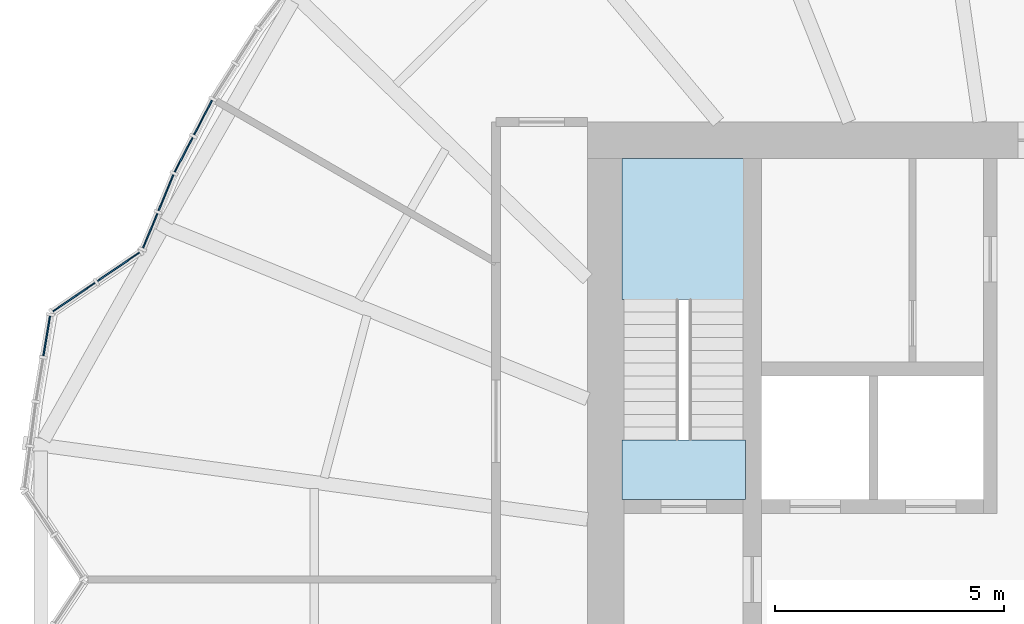
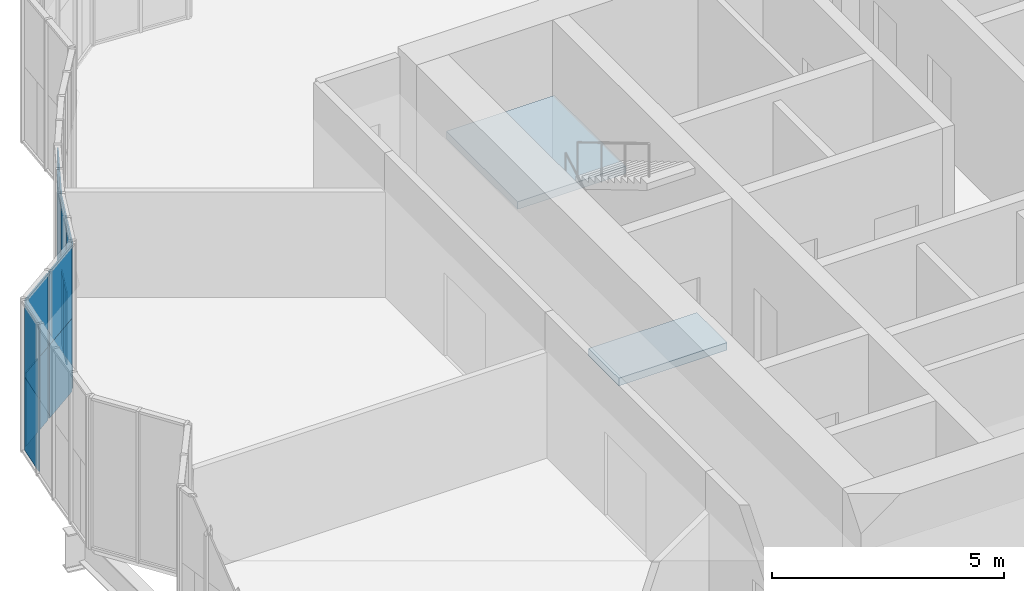
# One storey, part 14 of 22: 14 plates, 2 slabs, 5 elements without a shape of their own.
"""IFC4 building model written with IfcOpenShell, lengths in metres."""

from ifc_helpers import new_model, si_unit, direction, frame, origin, origin_2d, place, context, subcontext, project, spatial, polyline, rectangle, outline, extrude, material, layer, layer_set, type_object, element, aggregate, save


model = new_model("IFC4")

# Units and contexts
model_context = context("Model", 3, precision=1e-05, world=origin(), true_north=direction((0.0, 1.0)))
body_context = subcontext(model_context, "Body", "Model", "MODEL_VIEW")
ifc_project = project(units=[si_unit("LENGTHUNIT", "METRE"), si_unit("AREAUNIT", "SQUARE_METRE"), si_unit("VOLUMEUNIT", "CUBIC_METRE"), si_unit("PLANEANGLEUNIT", "RADIAN"), si_unit("MASSUNIT", "GRAM", prefix="KILO")], contexts=[model_context])

# Site, building, storey
site_placement = place(None, origin())
site = spatial("IfcSite", under=ifc_project, at=site_placement, CompositionType="ELEMENT")
building_placement = place(site_placement, origin())
building = spatial("IfcBuilding", under=site, at=building_placement, Name="Golbaran Civic Tower", CompositionType="ELEMENT")
storey_placement = place(building_placement, frame((0.0, 0.0, 29.0)))
storey = spatial("IfcBuildingStorey", under=building, at=storey_placement, Name="L06", CompositionType="ELEMENT", Elevation=29.0)

# Curtain wall, plates
ifc_material_1 = material(Name="Aluminium and glass", Category="aluminium")
curtain_wall_type = type_object("IfcCurtainWallType", Name="INNER SKIN CURTAIN WALL", PredefinedType="NOTDEFINED", material=ifc_material_1)
curtain_wall_1_placement = place(storey_placement, origin())
curtain_wall_1 = element("IfcCurtainWall", 1, at=curtain_wall_1_placement, inside=storey, type_object=curtain_wall_type, Name="Inner skin L06 facet 31 CW1", ObjectType="INNER SKIN", PredefinedType="USERDEFINED")
ifc_material_2 = material(Name="Clear insulating glass", Category="glass")
ifc_layer_1 = layer(ifc_material_2, 0.031982421875, Name="Clear insulating glass")
ifc_layer_set_1 = layer_set([ifc_layer_1], Name="Clear insulating glass")
plate_type_1 = type_object("IfcPlateType", Name="INNER SKIN CURTAIN WALL GLAZED PANEL", PredefinedType="CURTAIN_PANEL", material=ifc_layer_set_1)
plate_1_placement = place(storey_placement, frame((-18.40234375, 10.09619140625, 0.06494140625), z_axis=(0.0, 0.0, 1.0), x_axis=(-0.461748613607, -0.887010832985, 0.0)))
plate_1 = element("IfcPlate", 2, at=plate_1_placement, type_object=plate_type_1, Name="CW1 panel 1.1", PredefinedType="CURTAIN_PANEL", context=body_context, shape_type="SweptSolid", body=[
    extrude(rectangle(XDim=0.851318359375, YDim=0.031982421875, at=origin_2d()), origin(), (0.0, 0.0, 1.0), 3.8701171875),
])
plate_2_placement = place(storey_placement, frame((-18.825439453125, 9.283447265625, 0.06494140625), z_axis=(0.0, 0.0, 1.0), x_axis=(-0.461748613607, -0.887010832985, 0.0)))
plate_2 = element("IfcPlate", 3, at=plate_2_placement, type_object=plate_type_1, Name="CW1 panel 2.1", PredefinedType="CURTAIN_PANEL", context=body_context, shape_type="SweptSolid", body=[
    extrude(rectangle(XDim=0.851318359375, YDim=0.031982421875, at=origin_2d()), origin(), (0.0, 0.0, 1.0), 3.8701171875),
])
aggregate(curtain_wall_1, [plate_1, plate_2])

curtain_wall_2_placement = place(storey_placement, origin())
curtain_wall_2 = element("IfcCurtainWall", 4, at=curtain_wall_2_placement, inside=storey, type_object=curtain_wall_type, Name="Inner skin L06 facet 32 CW1", ObjectType="INNER SKIN", PredefinedType="USERDEFINED")
plate_3_placement = place(storey_placement, frame((-19.130126953125, 8.652099609375, 0.06494140625), z_axis=(0.0, 0.0, 1.0), x_axis=(-0.382683432462, -0.923879532471, 0.0)))
plate_3 = element("IfcPlate", 5, at=plate_3_placement, type_object=plate_type_1, Name="CW1 panel 1.1 part 1", PredefinedType="CURTAIN_PANEL", context=body_context, shape_type="SweptSolid", body=[
    extrude(rectangle(XDim=0.422119140625, YDim=0.031982421875, at=origin_2d()), origin(), (0.0, 0.0, 1.0), 1.93505859375),
])
plate_4_placement = place(storey_placement, frame((-19.21240234375, 8.453857421875, 2.0), z_axis=(0.0, 0.0, 1.0), x_axis=(-0.382683432462, -0.923879532471, 0.0)))
plate_4 = element("IfcPlate", 6, at=plate_4_placement, type_object=plate_type_1, Name="CW1 panel 1.1 part 3", PredefinedType="CURTAIN_PANEL", context=body_context, shape_type="SweptSolid", body=[
    extrude(rectangle(XDim=0.851318359375, YDim=0.031982421875, at=origin_2d()), origin(), (0.0, 0.0, 1.0), 1.93505859375),
])

# Curtain wall, plate
curtain_wall_3_placement = place(storey_placement, origin())
curtain_wall_3 = element("IfcCurtainWall", 7, at=curtain_wall_3_placement, inside=storey, type_object=curtain_wall_type, Name="Inner skin L06 facet 33 CW1", ObjectType="INNER SKIN", PredefinedType="USERDEFINED")
plate_5_placement = place(storey_placement, frame((-21.427490234375, 6.033447265625, 0.06494140625), z_axis=(0.0, 0.0, 1.0), x_axis=(-0.826500245316, -0.562936359185, 0.0)))
plate_5 = element("IfcPlate", 8, at=plate_5_placement, type_object=plate_type_1, Name="CW1 panel 2.1 part 2", PredefinedType="CURTAIN_PANEL", context=body_context, shape_type="SweptSolid", body=[
    extrude(rectangle(XDim=0.614501953125, YDim=0.031982421875, at=origin_2d()), origin(), (0.0, 0.0, 1.0), 1.93505859375),
])

curtain_wall_4_placement = place(storey_placement, origin())
curtain_wall_4 = element("IfcCurtainWall", 9, at=curtain_wall_4_placement, inside=storey, type_object=curtain_wall_type, Name="Inner skin L06 facet 34 CW1", ObjectType="INNER SKIN", PredefinedType="USERDEFINED")
plate_6_placement = place(storey_placement, frame((-21.818603515625, 5.32421875, 0.06494140625), z_axis=(0.0, 0.0, 1.0), x_axis=(-0.164414894066, -0.986391272574, 0.0)))
plate_6 = element("IfcPlate", 10, at=plate_6_placement, type_object=plate_type_1, Name="CW1 panel 1.1 part 1", PredefinedType="CURTAIN_PANEL", context=body_context, shape_type="SweptSolid", body=[
    extrude(rectangle(XDim=0.883056640625, YDim=0.031982421875, at=origin_2d()), origin(), (0.0, 0.0, 1.0), 1.93505859375),
])

# Plate
ifc_material_3 = material(Name="Aluminium faced opaque infill panel", Category="aluminium")
ifc_layer_2 = layer(ifc_material_3, 0.031982421875, Name="Aluminium faced opaque infill panel")
ifc_layer_set_2 = layer_set([ifc_layer_2], Name="Aluminium faced opaque infill panel")
plate_type_2 = type_object("IfcPlateType", Name="INNER SKIN CURTAIN WALL OPAQUE INFILL PANEL", PredefinedType="CURTAIN_PANEL", material=ifc_layer_set_2)
plate_7_placement = place(storey_placement, frame((-19.29296875, 8.259033203125, 0.06494140625), z_axis=(0.0, 0.0, 1.0), x_axis=(-0.382683432462, -0.923879532471, 0.0)))
plate_7 = element("IfcPlate", 11, at=plate_7_placement, type_object=plate_type_2, Name="CW1 infill panel 1.1 part 2", PredefinedType="CURTAIN_PANEL", context=body_context, shape_type="SweptSolid", body=[
    extrude(rectangle(XDim=0.42919921875, YDim=0.031982421875, at=origin_2d()), origin(), (0.0, 0.0, 1.0), 1.93505859375),
])

plate_8_placement = place(storey_placement, frame((-19.556640625, 7.622314453125, 0.06494140625), z_axis=(0.0, 0.0, 1.0), x_axis=(-0.382683432462, -0.923879532471, 0.0)))
plate_8 = element("IfcPlate", 12, at=plate_8_placement, type_object=plate_type_2, Name="CW1 infill panel 2.1 part 1", PredefinedType="CURTAIN_PANEL", context=body_context, shape_type="SweptSolid", body=[
    extrude(rectangle(XDim=0.818603515625, YDim=0.031982421875, at=origin_2d()), origin(), (0.0, 0.0, 1.0), 1.93505859375),
])

plate_9_placement = place(storey_placement, frame((-19.556640625, 7.622314453125, 2.0), z_axis=(0.0, 0.0, 1.0), x_axis=(-0.382683432462, -0.923879532471, 0.0)))
plate_9 = element("IfcPlate", 13, at=plate_9_placement, type_object=plate_type_2, Name="CW1 infill panel 2.1 part 2", PredefinedType="CURTAIN_PANEL", context=body_context, shape_type="SweptSolid", body=[
    extrude(rectangle(XDim=0.818603515625, YDim=0.031982421875, at=origin_2d()), origin(), (0.0, 0.0, 1.0), 1.93505859375),
])

aggregate(curtain_wall_2, [plate_3, plate_7, plate_4, plate_8, plate_9])

plate_10_placement = place(storey_placement, frame((-20.2509765625, 6.8349609375, 0.06494140625), z_axis=(0.0, 0.0, 1.0), x_axis=(-0.826500245316, -0.562936359185, 0.0)))
plate_10 = element("IfcPlate", 14, at=plate_10_placement, type_object=plate_type_2, Name="CW1 infill panel 1.1 part 1", PredefinedType="CURTAIN_PANEL", context=body_context, shape_type="SweptSolid", body=[
    extrude(rectangle(XDim=1.110595703125, YDim=0.031982421875, at=origin_2d()), origin(), (0.0, 0.0, 1.0), 1.93505859375),
])

plate_11_placement = place(storey_placement, frame((-20.2509765625, 6.8349609375, 2.0), z_axis=(0.0, 0.0, 1.0), x_axis=(-0.826500245316, -0.562936359185, 0.0)))
plate_11 = element("IfcPlate", 15, at=plate_11_placement, type_object=plate_type_2, Name="CW1 infill panel 1.1 part 2", PredefinedType="CURTAIN_PANEL", context=body_context, shape_type="SweptSolid", body=[
    extrude(rectangle(XDim=1.110595703125, YDim=0.031982421875, at=origin_2d()), origin(), (0.0, 0.0, 1.0), 1.93505859375),
])

plate_12_placement = place(storey_placement, frame((-20.968505859375, 6.34619140625, 0.06494140625), z_axis=(0.0, 0.0, 1.0), x_axis=(-0.826500245316, -0.562936359185, 0.0)))
plate_12 = element("IfcPlate", 16, at=plate_12_placement, type_object=plate_type_2, Name="CW1 infill panel 2.1 part 1", PredefinedType="CURTAIN_PANEL", context=body_context, shape_type="SweptSolid", body=[
    extrude(rectangle(XDim=0.49609375, YDim=0.031982421875, at=origin_2d()), origin(), (0.0, 0.0, 1.0), 1.93505859375),
])

plate_13_placement = place(storey_placement, frame((-21.22265625, 6.173095703125, 2.0), z_axis=(0.0, 0.0, 1.0), x_axis=(-0.826500245316, -0.562936359185, 0.0)))
plate_13 = element("IfcPlate", 17, at=plate_13_placement, type_object=plate_type_2, Name="CW1 infill panel 2.1 part 3", PredefinedType="CURTAIN_PANEL", context=body_context, shape_type="SweptSolid", body=[
    extrude(rectangle(XDim=1.110595703125, YDim=0.031982421875, at=origin_2d()), origin(), (0.0, 0.0, 1.0), 1.93505859375),
])

aggregate(curtain_wall_3, [plate_10, plate_11, plate_12, plate_5, plate_13])

plate_14_placement = place(storey_placement, frame((-21.818603515625, 5.32421875, 2.0), z_axis=(0.0, 0.0, 1.0), x_axis=(-0.164414894066, -0.986391272574, 0.0)))
plate_14 = element("IfcPlate", 18, at=plate_14_placement, type_object=plate_type_2, Name="CW1 infill panel 1.1 part 2", PredefinedType="CURTAIN_PANEL", context=body_context, shape_type="SweptSolid", body=[
    extrude(rectangle(XDim=0.883056640625, YDim=0.031982421875, at=origin_2d()), origin(), (0.0, 0.0, 1.0), 1.93505859375),
])

aggregate(curtain_wall_4, [plate_6, plate_14])

# Stair, slab
ifc_material_4 = material(Name="Concrete C35/45", Category="concrete")
stair_type = type_object("IfcStairType", Name="EXIT STAIR 2600 x 7450, 4000 RISE", PredefinedType="HALF_TURN_STAIR", material=ifc_material_4)
stair_placement = place(storey_placement, origin())
stair = element("IfcStair", 19, at=stair_placement, inside=storey, type_object=stair_type, Name="Stair S1 L06", PredefinedType="HALF_TURN_STAIR")
ifc_layer_3 = layer(ifc_material_4, 0.199951171875, Name="Concrete C35/45")
ifc_layer_set_3 = layer_set([ifc_layer_3], Name="Concrete C35/45")
slab_type = type_object("IfcSlabType", Name="STAIR LANDING 200", PredefinedType="LANDING", material=ifc_layer_set_3)
slab_1_placement = place(storey_placement, frame((0.0, 0.0, 1.800048828125)))
slab_1 = element("IfcSlab", 20, at=slab_1_placement, type_object=slab_type, Name="ST26074-40 landing 1", PredefinedType="LANDING", context=body_context, shape_type="SweptSolid", body=[
    extrude(outline(polyline([(-9.25, 6.125), (-9.25, 9.199951171875), (-6.550048828125, 9.199951171875), (-6.550048828125, 6.125), (-9.25, 6.125)])), origin(), (0.0, 0.0, 1.0), 0.199951171875),
])
aggregate(stair, [slab_1])

# Slab
slab_2_placement = place(storey_placement, frame((0.0, 0.0, -0.199951171875)))
element("IfcSlab", 21, at=slab_2_placement, inside=storey, type_object=slab_type, Name="Stair S1 floor landing L06", PredefinedType="LANDING", context=body_context, shape_type="SweptSolid", body=[
    extrude(outline(polyline([(-9.25, 1.75), (-9.25, 3.054931640625), (-6.550048828125, 3.054931640625), (-6.550048828125, 1.75), (-9.25, 1.75)])), origin(), (0.0, 0.0, 1.0), 0.199951171875),
])

save(model, "model.ifc")
